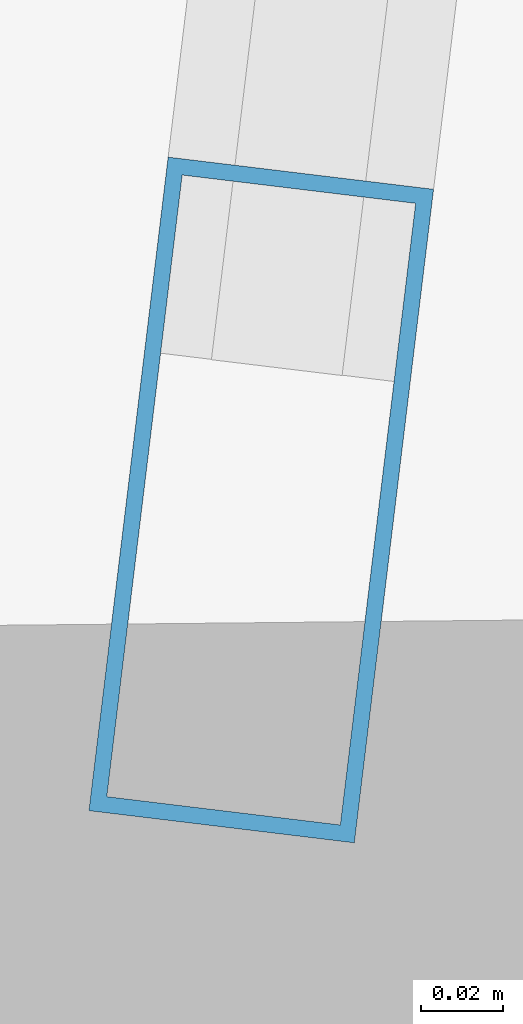
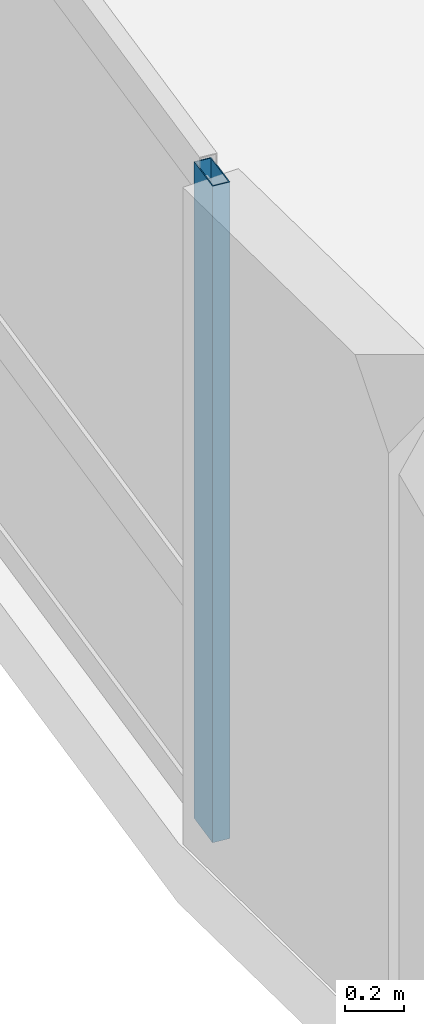
# One storey, part 2 of 26: 1 member, 1 element without a shape of its own.
"""IFC4 building model written with IfcOpenShell, lengths in metres."""

from ifc_helpers import new_model, si_unit, direction, frame, origin, origin_2d, place, context, subcontext, project, spatial, hollow_rectangle, extrude, material, layer, layer_set, material_profile, profile_set, type_object, element, aggregate, save


model = new_model("IFC4")

# Units and contexts
model_context = context("Model", 3, precision=1e-05, world=origin(), true_north=direction((0.0, 1.0)))
body_context = subcontext(model_context, "Body", "Model", "MODEL_VIEW")
ifc_project = project(units=[si_unit("LENGTHUNIT", "METRE"), si_unit("AREAUNIT", "SQUARE_METRE"), si_unit("VOLUMEUNIT", "CUBIC_METRE"), si_unit("PLANEANGLEUNIT", "RADIAN"), si_unit("MASSUNIT", "GRAM", prefix="KILO")], contexts=[model_context])

# Site, building, storey
site_placement = place(None, origin())
site = spatial("IfcSite", under=ifc_project, at=site_placement, CompositionType="ELEMENT")
building_placement = place(site_placement, origin())
building = spatial("IfcBuilding", under=site, at=building_placement, Name="Varnelok Gate Tower", CompositionType="ELEMENT")
storey_placement = place(building_placement, frame((0.0, 0.0, 125.39990234375)))
storey = spatial("IfcBuildingStorey", under=building, at=storey_placement, Name="L31", CompositionType="ELEMENT", Elevation=125.39990234375)

# Curtain wall, member
ifc_material = material(Name="Anodized Aluminum Alloy 6063-T6", Category="aluminium")
ifc_layer = layer(ifc_material, 0.179931640625)
ifc_layer_set = layer_set([ifc_layer], Name="Anodized Aluminum Alloy 6063-T6")
curtain_wall_type = type_object("IfcCurtainWallType", Name="CW3-HOTEL-VISION", PredefinedType="USERDEFINED", material=ifc_layer_set)
curtain_wall_placement = place(storey_placement, origin())
curtain_wall = element("IfcCurtainWall", 1, at=curtain_wall_placement, inside=storey, type_object=curtain_wall_type, Name="L31 West End Vision Curtain Wall", ObjectType="UNITISED CURTAIN WALL", PredefinedType="USERDEFINED")
ifc_material_profile = material_profile(ifc_material, hollow_rectangle(XDim=0.06494140625, YDim=0.159912109375, WallThickness=0.00390625, at=origin_2d()), Name="ALU160X65X4")
ifc_profile_set = profile_set([ifc_material_profile], Name="Anodized Aluminum Alloy 6063-T6")
member_type = type_object("IfcMemberType", Name="CW-MULL-160", PredefinedType="MULLION", material=ifc_profile_set)
member_placement = place(storey_placement, frame((0.2470703125, 11.923095703125, 0.0), z_axis=(0.0, 0.0, 1.0), x_axis=(-0.99273188146, 0.120347046212, 0.0)))
member = element("IfcMember", 2, at=member_placement, type_object=member_type, Name="CW3 mullion 1", PredefinedType="MULLION", context=body_context, shape_type="SweptSolid", body=[
    extrude(hollow_rectangle(XDim=0.06494140625, YDim=0.159912109375, WallThickness=0.00390625, at=origin_2d()), origin(), (0.0, 0.0, 1.0), 2.72998046875),
])
aggregate(curtain_wall, [member])

save(model, "model.ifc")
